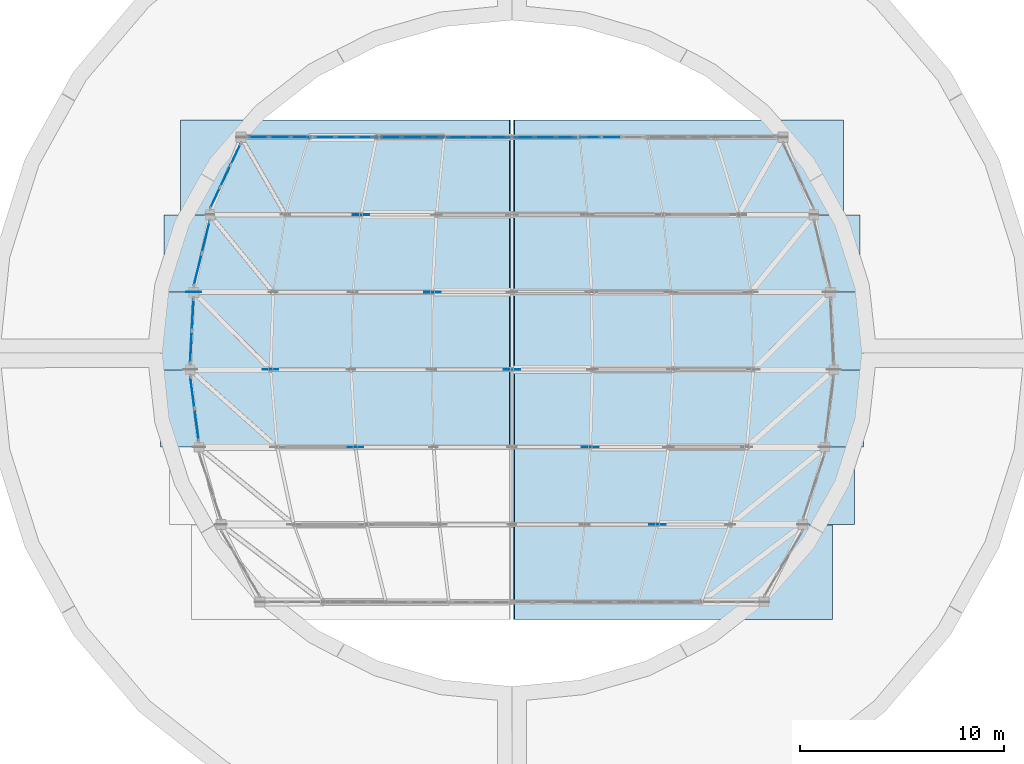
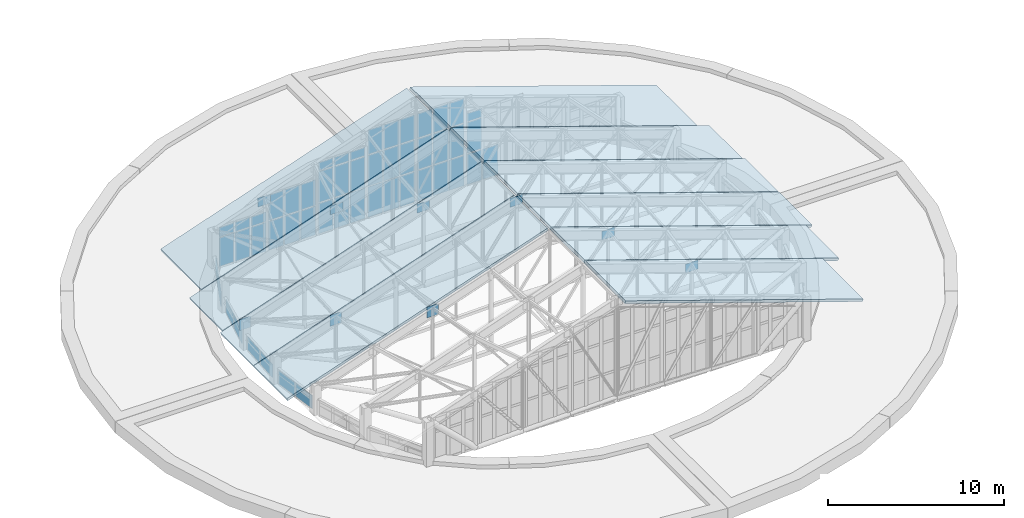
# One storey, part 60 of 105: 61 plates, 10 slabs, 10 elements without a shape of their own.
"""IFC4 building model written with IfcOpenShell, lengths in metres."""

from ifc_helpers import new_model, si_unit, direction, frame, origin, origin_2d, place, context, subcontext, project, spatial, polyline, rectangle, outline, extrude, material, layer, layer_set, type_object, element, aggregate, save


model = new_model("IFC4")

# Units and contexts
model_context = context("Model", 3, precision=1e-05, world=origin(), true_north=direction((0.0, 1.0)))
body_context = subcontext(model_context, "Body", "Model", "MODEL_VIEW")
ifc_project = project(units=[si_unit("LENGTHUNIT", "METRE"), si_unit("AREAUNIT", "SQUARE_METRE"), si_unit("VOLUMEUNIT", "CUBIC_METRE"), si_unit("PLANEANGLEUNIT", "RADIAN"), si_unit("MASSUNIT", "GRAM", prefix="KILO")], contexts=[model_context])

# Site, building, storey
site_placement = place(None, origin())
site = spatial("IfcSite", under=ifc_project, at=site_placement, CompositionType="ELEMENT")
building_placement = place(site_placement, origin())
building = spatial("IfcBuilding", under=site, at=building_placement, Name="Corveleigh Park Community Centre", CompositionType="ELEMENT")
storey_placement = place(building_placement, frame((0.0, 0.0, 8.699951171875)))
storey = spatial("IfcBuildingStorey", under=building, at=storey_placement, Name="L02", CompositionType="ELEMENT", Elevation=8.699951171875)

# Curtain wall, plates
ifc_material_1 = material(Name="Anodised aluminium 6063-T6", Category="aluminium")
curtain_wall_type_1 = type_object("IfcCurtainWallType", Name="CW-SYS-V1-DRUM", PredefinedType="NOTDEFINED", material=ifc_material_1)
curtain_wall_1_placement = place(storey_placement, origin())
curtain_wall_1 = element("IfcCurtainWall", 1, at=curtain_wall_1_placement, inside=storey, type_object=curtain_wall_type_1, Name="Main Hall N Gable Clerestory 1", PredefinedType="NOTDEFINED")
ifc_material_2 = material(Name="Low-E double glazing", Category="glass")
ifc_layer_1 = layer(ifc_material_2, 0.028076171875, Name="Low-E double glazing", Category="glass")
ifc_layer_set_1 = layer_set([ifc_layer_1], Name="Low-E double glazing")
plate_type_1 = type_object("IfcPlateType", Name="CWP-GLZ-28", PredefinedType="CURTAIN_PANEL", material=ifc_layer_set_1)
plate_1_placement = place(storey_placement, frame((20.6611328125, 38.199951171875, 0.070068359375), z_axis=(0.0, 0.0, 1.0), x_axis=(-1.0, 0.0, 0.0)))
plate_1 = element("IfcPlate", 2, at=plate_1_placement, type_object=plate_type_1, Name="CW02 panel 1.1", PredefinedType="CURTAIN_PANEL", context=body_context, shape_type="SweptSolid", body=[
    extrude(rectangle(XDim=0.951416015625, YDim=0.028076171875, at=origin_2d()), origin(), (0.0, 0.0, 1.0), 1.9951171875),
])
plate_2_placement = place(storey_placement, frame((20.6611328125, 38.199951171875, 2.135009765625), z_axis=(0.0, 0.0, 1.0), x_axis=(-1.0, 0.0, 0.0)))
plate_2 = element("IfcPlate", 3, at=plate_2_placement, type_object=plate_type_1, Name="CW02 panel 1.2", PredefinedType="CURTAIN_PANEL", context=body_context, shape_type="SweptSolid", body=[
    extrude(rectangle(XDim=0.951416015625, YDim=0.028076171875, at=origin_2d()), origin(), (0.0, 0.0, 1.0), 0.64990234375),
])
plate_3_placement = place(storey_placement, frame((19.615966796875, 38.199951171875, 0.070068359375), z_axis=(0.0, 0.0, 1.0), x_axis=(-1.0, 0.0, 0.0)))
plate_3 = element("IfcPlate", 4, at=plate_3_placement, type_object=plate_type_1, Name="CW02 panel 2.1", PredefinedType="CURTAIN_PANEL", context=body_context, shape_type="SweptSolid", body=[
    extrude(rectangle(XDim=0.989013671875, YDim=0.028076171875, at=origin_2d()), origin(), (0.0, 0.0, 1.0), 1.9951171875),
])
plate_4_placement = place(storey_placement, frame((19.615966796875, 38.199951171875, 2.135009765625), z_axis=(0.0, 0.0, 1.0), x_axis=(-1.0, 0.0, 0.0)))
plate_4 = element("IfcPlate", 5, at=plate_4_placement, type_object=plate_type_1, Name="CW02 panel 2.2", PredefinedType="CURTAIN_PANEL", context=body_context, shape_type="SweptSolid", body=[
    extrude(rectangle(XDim=0.989013671875, YDim=0.028076171875, at=origin_2d()), origin(), (0.0, 0.0, 1.0), 0.64990234375),
])
plate_5_placement = place(storey_placement, frame((18.57080078125, 38.199951171875, 0.070068359375), z_axis=(0.0, 0.0, 1.0), x_axis=(-1.0, 0.0, 0.0)))
plate_5 = element("IfcPlate", 6, at=plate_5_placement, type_object=plate_type_1, Name="CW02 panel 3.1", PredefinedType="CURTAIN_PANEL", context=body_context, shape_type="SweptSolid", body=[
    extrude(rectangle(XDim=0.951416015625, YDim=0.028076171875, at=origin_2d()), origin(), (0.0, 0.0, 1.0), 1.9951171875),
])
plate_6_placement = place(storey_placement, frame((18.57080078125, 38.199951171875, 2.135009765625), z_axis=(0.0, 0.0, 1.0), x_axis=(-1.0, 0.0, 0.0)))
plate_6 = element("IfcPlate", 7, at=plate_6_placement, type_object=plate_type_1, Name="CW02 panel 3.2", PredefinedType="CURTAIN_PANEL", context=body_context, shape_type="SweptSolid", body=[
    extrude(rectangle(XDim=0.951416015625, YDim=0.028076171875, at=origin_2d()), origin(), (0.0, 0.0, 1.0), 0.64990234375),
])
aggregate(curtain_wall_1, [plate_1, plate_2, plate_3, plate_4, plate_5, plate_6])

curtain_wall_2_placement = place(storey_placement, origin())
curtain_wall_2 = element("IfcCurtainWall", 8, at=curtain_wall_2_placement, inside=storey, type_object=curtain_wall_type_1, Name="Main Hall N Gable Clerestory 2", PredefinedType="NOTDEFINED")
plate_7_placement = place(storey_placement, frame((23.914306640625, 38.199951171875, 0.070068359375), z_axis=(0.0, 0.0, 1.0), x_axis=(-1.0, 0.0, 0.0)))
plate_7 = element("IfcPlate", 9, at=plate_7_placement, type_object=plate_type_1, Name="CW02 panel 1.1", PredefinedType="CURTAIN_PANEL", context=body_context, shape_type="SweptSolid", body=[
    extrude(rectangle(XDim=0.951416015625, YDim=0.028076171875, at=origin_2d()), origin(), (0.0, 0.0, 1.0), 1.9951171875),
])
plate_8_placement = place(storey_placement, frame((23.914306640625, 38.199951171875, 2.13525390625), z_axis=(0.0, 0.0, 1.0), x_axis=(-1.0, 0.0, 0.0)))
plate_8 = element("IfcPlate", 10, at=plate_8_placement, type_object=plate_type_1, Name="CW02 panel 1.2", PredefinedType="CURTAIN_PANEL", context=body_context, shape_type="SweptSolid", body=[
    extrude(rectangle(XDim=0.951416015625, YDim=0.028076171875, at=origin_2d()), origin(), (0.0, 0.0, 1.0), 1.761962890625),
])
plate_9_placement = place(storey_placement, frame((22.868896484375, 38.199951171875, 0.070068359375), z_axis=(0.0, 0.0, 1.0), x_axis=(-1.0, 0.0, 0.0)))
plate_9 = element("IfcPlate", 11, at=plate_9_placement, type_object=plate_type_1, Name="CW02 panel 2.1", PredefinedType="CURTAIN_PANEL", context=body_context, shape_type="SweptSolid", body=[
    extrude(rectangle(XDim=0.989013671875, YDim=0.028076171875, at=origin_2d()), origin(), (0.0, 0.0, 1.0), 1.9951171875),
])
plate_10_placement = place(storey_placement, frame((22.868896484375, 38.199951171875, 2.13525390625), z_axis=(0.0, 0.0, 1.0), x_axis=(-1.0, 0.0, 0.0)))
plate_10 = element("IfcPlate", 12, at=plate_10_placement, type_object=plate_type_1, Name="CW02 panel 2.2", PredefinedType="CURTAIN_PANEL", context=body_context, shape_type="SweptSolid", body=[
    extrude(rectangle(XDim=0.989013671875, YDim=0.028076171875, at=origin_2d()), origin(), (0.0, 0.0, 1.0), 1.761962890625),
])
plate_11_placement = place(storey_placement, frame((21.82373046875, 38.199951171875, 0.070068359375), z_axis=(0.0, 0.0, 1.0), x_axis=(-1.0, 0.0, 0.0)))
plate_11 = element("IfcPlate", 13, at=plate_11_placement, type_object=plate_type_1, Name="CW02 panel 3.1", PredefinedType="CURTAIN_PANEL", context=body_context, shape_type="SweptSolid", body=[
    extrude(rectangle(XDim=0.951416015625, YDim=0.028076171875, at=origin_2d()), origin(), (0.0, 0.0, 1.0), 1.9951171875),
])
plate_12_placement = place(storey_placement, frame((21.82373046875, 38.199951171875, 2.13525390625), z_axis=(0.0, 0.0, 1.0), x_axis=(-1.0, 0.0, 0.0)))
plate_12 = element("IfcPlate", 14, at=plate_12_placement, type_object=plate_type_1, Name="CW02 panel 3.2", PredefinedType="CURTAIN_PANEL", context=body_context, shape_type="SweptSolid", body=[
    extrude(rectangle(XDim=0.951416015625, YDim=0.028076171875, at=origin_2d()), origin(), (0.0, 0.0, 1.0), 1.761962890625),
])
aggregate(curtain_wall_2, [plate_7, plate_8, plate_9, plate_10, plate_11, plate_12])

curtain_wall_3_placement = place(storey_placement, origin())
curtain_wall_3 = element("IfcCurtainWall", 15, at=curtain_wall_3_placement, inside=storey, type_object=curtain_wall_type_1, Name="Main Hall N Gable Clerestory 3", PredefinedType="NOTDEFINED")
plate_13_placement = place(storey_placement, frame((27.1669921875, 38.199951171875, 0.06982421875), z_axis=(0.0, 0.0, 1.0), x_axis=(-1.0, 0.0, 0.0)))
plate_13 = element("IfcPlate", 16, at=plate_13_placement, type_object=plate_type_1, Name="CW02 panel 1.1", PredefinedType="CURTAIN_PANEL", context=body_context, shape_type="SweptSolid", body=[
    extrude(rectangle(XDim=0.951904296875, YDim=0.028076171875, at=origin_2d()), origin(), (0.0, 0.0, 1.0), 2.094970703125),
])
plate_14_placement = place(storey_placement, frame((27.1669921875, 38.199951171875, 2.235107421875), z_axis=(0.0, 0.0, 1.0), x_axis=(-1.0, 0.0, 0.0)))
plate_14 = element("IfcPlate", 17, at=plate_14_placement, type_object=plate_type_1, Name="CW02 panel 1.2", PredefinedType="CURTAIN_PANEL", context=body_context, shape_type="SweptSolid", body=[
    extrude(rectangle(XDim=0.951904296875, YDim=0.028076171875, at=origin_2d()), origin(), (0.0, 0.0, 1.0), 2.1298828125),
])
plate_15_placement = place(storey_placement, frame((27.1669921875, 38.199951171875, 4.43505859375), z_axis=(0.0, 0.0, 1.0), x_axis=(-1.0, 0.0, 0.0)))
plate_15 = element("IfcPlate", 18, at=plate_15_placement, type_object=plate_type_1, Name="CW02 panel 1.3", PredefinedType="CURTAIN_PANEL", context=body_context, shape_type="SweptSolid", body=[
    extrude(rectangle(XDim=0.951904296875, YDim=0.028076171875, at=origin_2d()), origin(), (0.0, 0.0, 1.0), 0.572998046875),
])
plate_16_placement = place(storey_placement, frame((26.12158203125, 38.199951171875, 0.06982421875), z_axis=(0.0, 0.0, 1.0), x_axis=(-1.0, 0.0, 0.0)))
plate_16 = element("IfcPlate", 19, at=plate_16_placement, type_object=plate_type_1, Name="CW02 panel 2.1", PredefinedType="CURTAIN_PANEL", context=body_context, shape_type="SweptSolid", body=[
    extrude(rectangle(XDim=0.9892578125, YDim=0.028076171875, at=origin_2d()), origin(), (0.0, 0.0, 1.0), 2.094970703125),
])
plate_17_placement = place(storey_placement, frame((26.12158203125, 38.199951171875, 2.235107421875), z_axis=(0.0, 0.0, 1.0), x_axis=(-1.0, 0.0, 0.0)))
plate_17 = element("IfcPlate", 20, at=plate_17_placement, type_object=plate_type_1, Name="CW02 panel 2.2", PredefinedType="CURTAIN_PANEL", context=body_context, shape_type="SweptSolid", body=[
    extrude(rectangle(XDim=0.9892578125, YDim=0.028076171875, at=origin_2d()), origin(), (0.0, 0.0, 1.0), 2.1298828125),
])
plate_18_placement = place(storey_placement, frame((26.12158203125, 38.199951171875, 4.43505859375), z_axis=(0.0, 0.0, 1.0), x_axis=(-1.0, 0.0, 0.0)))
plate_18 = element("IfcPlate", 21, at=plate_18_placement, type_object=plate_type_1, Name="CW02 panel 2.3", PredefinedType="CURTAIN_PANEL", context=body_context, shape_type="SweptSolid", body=[
    extrude(rectangle(XDim=0.9892578125, YDim=0.028076171875, at=origin_2d()), origin(), (0.0, 0.0, 1.0), 0.572998046875),
])
plate_19_placement = place(storey_placement, frame((25.075927734375, 38.199951171875, 0.06982421875), z_axis=(0.0, 0.0, 1.0), x_axis=(-1.0, 0.0, 0.0)))
plate_19 = element("IfcPlate", 22, at=plate_19_placement, type_object=plate_type_1, Name="CW02 panel 3.1", PredefinedType="CURTAIN_PANEL", context=body_context, shape_type="SweptSolid", body=[
    extrude(rectangle(XDim=0.951904296875, YDim=0.028076171875, at=origin_2d()), origin(), (0.0, 0.0, 1.0), 2.094970703125),
])
plate_20_placement = place(storey_placement, frame((25.075927734375, 38.199951171875, 2.235107421875), z_axis=(0.0, 0.0, 1.0), x_axis=(-1.0, 0.0, 0.0)))
plate_20 = element("IfcPlate", 23, at=plate_20_placement, type_object=plate_type_1, Name="CW02 panel 3.2", PredefinedType="CURTAIN_PANEL", context=body_context, shape_type="SweptSolid", body=[
    extrude(rectangle(XDim=0.951904296875, YDim=0.028076171875, at=origin_2d()), origin(), (0.0, 0.0, 1.0), 2.1298828125),
])
plate_21_placement = place(storey_placement, frame((25.075927734375, 38.199951171875, 4.43505859375), z_axis=(0.0, 0.0, 1.0), x_axis=(-1.0, 0.0, 0.0)))
plate_21 = element("IfcPlate", 24, at=plate_21_placement, type_object=plate_type_1, Name="CW02 panel 3.3", PredefinedType="CURTAIN_PANEL", context=body_context, shape_type="SweptSolid", body=[
    extrude(rectangle(XDim=0.951904296875, YDim=0.028076171875, at=origin_2d()), origin(), (0.0, 0.0, 1.0), 0.572998046875),
])
aggregate(curtain_wall_3, [plate_13, plate_14, plate_15, plate_16, plate_17, plate_18, plate_19, plate_20, plate_21])

curtain_wall_4_placement = place(storey_placement, origin())
curtain_wall_4 = element("IfcCurtainWall", 25, at=curtain_wall_4_placement, inside=storey, type_object=curtain_wall_type_1, Name="Main Hall N Gable Clerestory 4", PredefinedType="NOTDEFINED")
plate_22_placement = place(storey_placement, frame((30.419189453125, 38.199951171875, 0.06982421875), z_axis=(0.0, 0.0, 1.0), x_axis=(-1.0, 0.0, 0.0)))
plate_22 = element("IfcPlate", 26, at=plate_22_placement, type_object=plate_type_1, Name="CW02 panel 1.1", PredefinedType="CURTAIN_PANEL", context=body_context, shape_type="SweptSolid", body=[
    extrude(rectangle(XDim=0.951416015625, YDim=0.028076171875, at=origin_2d()), origin(), (0.0, 0.0, 1.0), 2.094970703125),
])
plate_23_placement = place(storey_placement, frame((30.419189453125, 38.199951171875, 2.235107421875), z_axis=(0.0, 0.0, 1.0), x_axis=(-1.0, 0.0, 0.0)))
plate_23 = element("IfcPlate", 27, at=plate_23_placement, type_object=plate_type_1, Name="CW02 panel 1.2", PredefinedType="CURTAIN_PANEL", context=body_context, shape_type="SweptSolid", body=[
    extrude(rectangle(XDim=0.951416015625, YDim=0.028076171875, at=origin_2d()), origin(), (0.0, 0.0, 1.0), 2.1298828125),
])
plate_24_placement = place(storey_placement, frame((30.419189453125, 38.199951171875, 4.43505859375), z_axis=(0.0, 0.0, 1.0), x_axis=(-1.0, 0.0, 0.0)))
plate_24 = element("IfcPlate", 28, at=plate_24_placement, type_object=plate_type_1, Name="CW02 panel 1.3", PredefinedType="CURTAIN_PANEL", context=body_context, shape_type="SweptSolid", body=[
    extrude(rectangle(XDim=0.951416015625, YDim=0.028076171875, at=origin_2d()), origin(), (0.0, 0.0, 1.0), 1.68408203125),
])
plate_25_placement = place(storey_placement, frame((29.3740234375, 38.199951171875, 0.06982421875), z_axis=(0.0, 0.0, 1.0), x_axis=(-1.0, 0.0, 0.0)))
plate_25 = element("IfcPlate", 29, at=plate_25_placement, type_object=plate_type_1, Name="CW02 panel 2.1", PredefinedType="CURTAIN_PANEL", context=body_context, shape_type="SweptSolid", body=[
    extrude(rectangle(XDim=0.989013671875, YDim=0.028076171875, at=origin_2d()), origin(), (0.0, 0.0, 1.0), 2.094970703125),
])
plate_26_placement = place(storey_placement, frame((29.3740234375, 38.199951171875, 2.235107421875), z_axis=(0.0, 0.0, 1.0), x_axis=(-1.0, 0.0, 0.0)))
plate_26 = element("IfcPlate", 30, at=plate_26_placement, type_object=plate_type_1, Name="CW02 panel 2.2", PredefinedType="CURTAIN_PANEL", context=body_context, shape_type="SweptSolid", body=[
    extrude(rectangle(XDim=0.989013671875, YDim=0.028076171875, at=origin_2d()), origin(), (0.0, 0.0, 1.0), 2.1298828125),
])
plate_27_placement = place(storey_placement, frame((29.3740234375, 38.199951171875, 4.43505859375), z_axis=(0.0, 0.0, 1.0), x_axis=(-1.0, 0.0, 0.0)))
plate_27 = element("IfcPlate", 31, at=plate_27_placement, type_object=plate_type_1, Name="CW02 panel 2.3", PredefinedType="CURTAIN_PANEL", context=body_context, shape_type="SweptSolid", body=[
    extrude(rectangle(XDim=0.989013671875, YDim=0.028076171875, at=origin_2d()), origin(), (0.0, 0.0, 1.0), 1.68408203125),
])
plate_28_placement = place(storey_placement, frame((28.328857421875, 38.199951171875, 0.06982421875), z_axis=(0.0, 0.0, 1.0), x_axis=(-1.0, 0.0, 0.0)))
plate_28 = element("IfcPlate", 32, at=plate_28_placement, type_object=plate_type_1, Name="CW02 panel 3.1", PredefinedType="CURTAIN_PANEL", context=body_context, shape_type="SweptSolid", body=[
    extrude(rectangle(XDim=0.951416015625, YDim=0.028076171875, at=origin_2d()), origin(), (0.0, 0.0, 1.0), 2.094970703125),
])
plate_29_placement = place(storey_placement, frame((28.328857421875, 38.199951171875, 2.235107421875), z_axis=(0.0, 0.0, 1.0), x_axis=(-1.0, 0.0, 0.0)))
plate_29 = element("IfcPlate", 33, at=plate_29_placement, type_object=plate_type_1, Name="CW02 panel 3.2", PredefinedType="CURTAIN_PANEL", context=body_context, shape_type="SweptSolid", body=[
    extrude(rectangle(XDim=0.951416015625, YDim=0.028076171875, at=origin_2d()), origin(), (0.0, 0.0, 1.0), 2.1298828125),
])
plate_30_placement = place(storey_placement, frame((28.328857421875, 38.199951171875, 4.43505859375), z_axis=(0.0, 0.0, 1.0), x_axis=(-1.0, 0.0, 0.0)))
plate_30 = element("IfcPlate", 34, at=plate_30_placement, type_object=plate_type_1, Name="CW02 panel 3.3", PredefinedType="CURTAIN_PANEL", context=body_context, shape_type="SweptSolid", body=[
    extrude(rectangle(XDim=0.951416015625, YDim=0.028076171875, at=origin_2d()), origin(), (0.0, 0.0, 1.0), 1.68408203125),
])
aggregate(curtain_wall_4, [plate_22, plate_23, plate_24, plate_25, plate_26, plate_27, plate_28, plate_29, plate_30])

curtain_wall_5_placement = place(storey_placement, origin())
curtain_wall_5 = element("IfcCurtainWall", 35, at=curtain_wall_5_placement, inside=storey, type_object=curtain_wall_type_1, Name="Main Hall N Gable Clerestory 5", PredefinedType="NOTDEFINED")
plate_31_placement = place(storey_placement, frame((33.671142578125, 38.199951171875, 0.06982421875), z_axis=(0.0, 0.0, 1.0), x_axis=(-1.0, 0.0, 0.0)))
plate_31 = element("IfcPlate", 36, at=plate_31_placement, type_object=plate_type_1, Name="CW02 panel 1.1", PredefinedType="CURTAIN_PANEL", context=body_context, shape_type="SweptSolid", body=[
    extrude(rectangle(XDim=0.951416015625, YDim=0.028076171875, at=origin_2d()), origin(), (0.0, 0.0, 1.0), 2.094970703125),
])
plate_32_placement = place(storey_placement, frame((33.671142578125, 38.199951171875, 2.235107421875), z_axis=(0.0, 0.0, 1.0), x_axis=(-1.0, 0.0, 0.0)))
plate_32 = element("IfcPlate", 37, at=plate_32_placement, type_object=plate_type_1, Name="CW02 panel 1.2", PredefinedType="CURTAIN_PANEL", context=body_context, shape_type="SweptSolid", body=[
    extrude(rectangle(XDim=0.951416015625, YDim=0.028076171875, at=origin_2d()), origin(), (0.0, 0.0, 1.0), 2.1298828125),
])
plate_33_placement = place(storey_placement, frame((33.671142578125, 38.199951171875, 4.43505859375), z_axis=(0.0, 0.0, 1.0), x_axis=(-1.0, 0.0, 0.0)))
plate_33 = element("IfcPlate", 38, at=plate_33_placement, type_object=plate_type_1, Name="CW02 panel 1.3", PredefinedType="CURTAIN_PANEL", context=body_context, shape_type="SweptSolid", body=[
    extrude(rectangle(XDim=0.951416015625, YDim=0.028076171875, at=origin_2d()), origin(), (0.0, 0.0, 1.0), 1.68408203125),
])
plate_34_placement = place(storey_placement, frame((32.6259765625, 38.199951171875, 0.06982421875), z_axis=(0.0, 0.0, 1.0), x_axis=(-1.0, 0.0, 0.0)))
plate_34 = element("IfcPlate", 39, at=plate_34_placement, type_object=plate_type_1, Name="CW02 panel 2.1", PredefinedType="CURTAIN_PANEL", context=body_context, shape_type="SweptSolid", body=[
    extrude(rectangle(XDim=0.989013671875, YDim=0.028076171875, at=origin_2d()), origin(), (0.0, 0.0, 1.0), 2.094970703125),
])
plate_35_placement = place(storey_placement, frame((32.6259765625, 38.199951171875, 2.235107421875), z_axis=(0.0, 0.0, 1.0), x_axis=(-1.0, 0.0, 0.0)))
plate_35 = element("IfcPlate", 40, at=plate_35_placement, type_object=plate_type_1, Name="CW02 panel 2.2", PredefinedType="CURTAIN_PANEL", context=body_context, shape_type="SweptSolid", body=[
    extrude(rectangle(XDim=0.989013671875, YDim=0.028076171875, at=origin_2d()), origin(), (0.0, 0.0, 1.0), 2.1298828125),
])
plate_36_placement = place(storey_placement, frame((32.6259765625, 38.199951171875, 4.43505859375), z_axis=(0.0, 0.0, 1.0), x_axis=(-1.0, 0.0, 0.0)))
plate_36 = element("IfcPlate", 41, at=plate_36_placement, type_object=plate_type_1, Name="CW02 panel 2.3", PredefinedType="CURTAIN_PANEL", context=body_context, shape_type="SweptSolid", body=[
    extrude(rectangle(XDim=0.989013671875, YDim=0.028076171875, at=origin_2d()), origin(), (0.0, 0.0, 1.0), 1.68408203125),
])
plate_37_placement = place(storey_placement, frame((31.580810546875, 38.199951171875, 0.06982421875), z_axis=(0.0, 0.0, 1.0), x_axis=(-1.0, 0.0, 0.0)))
plate_37 = element("IfcPlate", 42, at=plate_37_placement, type_object=plate_type_1, Name="CW02 panel 3.1", PredefinedType="CURTAIN_PANEL", context=body_context, shape_type="SweptSolid", body=[
    extrude(rectangle(XDim=0.951416015625, YDim=0.028076171875, at=origin_2d()), origin(), (0.0, 0.0, 1.0), 2.094970703125),
])
plate_38_placement = place(storey_placement, frame((31.580810546875, 38.199951171875, 2.235107421875), z_axis=(0.0, 0.0, 1.0), x_axis=(-1.0, 0.0, 0.0)))
plate_38 = element("IfcPlate", 43, at=plate_38_placement, type_object=plate_type_1, Name="CW02 panel 3.2", PredefinedType="CURTAIN_PANEL", context=body_context, shape_type="SweptSolid", body=[
    extrude(rectangle(XDim=0.951416015625, YDim=0.028076171875, at=origin_2d()), origin(), (0.0, 0.0, 1.0), 2.1298828125),
])
plate_39_placement = place(storey_placement, frame((31.580810546875, 38.199951171875, 4.43505859375), z_axis=(0.0, 0.0, 1.0), x_axis=(-1.0, 0.0, 0.0)))
plate_39 = element("IfcPlate", 44, at=plate_39_placement, type_object=plate_type_1, Name="CW02 panel 3.3", PredefinedType="CURTAIN_PANEL", context=body_context, shape_type="SweptSolid", body=[
    extrude(rectangle(XDim=0.951416015625, YDim=0.028076171875, at=origin_2d()), origin(), (0.0, 0.0, 1.0), 1.68408203125),
])
aggregate(curtain_wall_5, [plate_31, plate_32, plate_33, plate_34, plate_35, plate_36, plate_37, plate_38, plate_39])

curtain_wall_6_placement = place(storey_placement, origin())
curtain_wall_6 = element("IfcCurtainWall", 45, at=curtain_wall_6_placement, inside=storey, type_object=curtain_wall_type_1, Name="Main Hall N Gable Clerestory 6", PredefinedType="NOTDEFINED")
plate_40_placement = place(storey_placement, frame((35.87841796875, 38.199951171875, 0.06982421875), z_axis=(0.0, 0.0, 1.0), x_axis=(-1.0, 0.0, 0.0)))
plate_40 = element("IfcPlate", 46, at=plate_40_placement, type_object=plate_type_1, Name="CW02 panel 2.1", PredefinedType="CURTAIN_PANEL", context=body_context, shape_type="SweptSolid", body=[
    extrude(rectangle(XDim=0.9892578125, YDim=0.028076171875, at=origin_2d()), origin(), (0.0, 0.0, 1.0), 2.094970703125),
])
plate_41_placement = place(storey_placement, frame((34.8330078125, 38.199951171875, 0.06982421875), z_axis=(0.0, 0.0, 1.0), x_axis=(-1.0, 0.0, 0.0)))
plate_41 = element("IfcPlate", 47, at=plate_41_placement, type_object=plate_type_1, Name="CW02 panel 3.1", PredefinedType="CURTAIN_PANEL", context=body_context, shape_type="SweptSolid", body=[
    extrude(rectangle(XDim=0.951904296875, YDim=0.028076171875, at=origin_2d()), origin(), (0.0, 0.0, 1.0), 2.094970703125),
])
plate_42_placement = place(storey_placement, frame((34.8330078125, 38.199951171875, 2.235107421875), z_axis=(0.0, 0.0, 1.0), x_axis=(-1.0, 0.0, 0.0)))
plate_42 = element("IfcPlate", 48, at=plate_42_placement, type_object=plate_type_1, Name="CW02 panel 3.2", PredefinedType="CURTAIN_PANEL", context=body_context, shape_type="SweptSolid", body=[
    extrude(rectangle(XDim=0.951904296875, YDim=0.028076171875, at=origin_2d()), origin(), (0.0, 0.0, 1.0), 2.1298828125),
])
plate_43_placement = place(storey_placement, frame((34.8330078125, 38.199951171875, 4.43505859375), z_axis=(0.0, 0.0, 1.0), x_axis=(-1.0, 0.0, 0.0)))
plate_43 = element("IfcPlate", 49, at=plate_43_placement, type_object=plate_type_1, Name="CW02 panel 3.3", PredefinedType="CURTAIN_PANEL", context=body_context, shape_type="SweptSolid", body=[
    extrude(rectangle(XDim=0.951904296875, YDim=0.028076171875, at=origin_2d()), origin(), (0.0, 0.0, 1.0), 0.572998046875),
])
aggregate(curtain_wall_6, [plate_40, plate_41, plate_42, plate_43])

curtain_wall_type_2 = type_object("IfcCurtainWallType", Name="CW-SYS-V1-L00", PredefinedType="NOTDEFINED", material=ifc_material_1)
curtain_wall_7_placement = place(storey_placement, origin())
curtain_wall_7 = element("IfcCurtainWall", 50, at=curtain_wall_7_placement, inside=storey, type_object=curtain_wall_type_2, Name="Main Hall West Eave Clerestory 3", PredefinedType="NOTDEFINED")
plate_44_placement = place(storey_placement, frame((15.53173828125, 24.107421875, 0.06494140625), z_axis=(0.0, 0.0, 1.0), x_axis=(-0.130961066405, 0.991387512069, 0.0)))
plate_44 = element("IfcPlate", 51, at=plate_44_placement, type_object=plate_type_1, Name="CW01 panel 1.1", PredefinedType="CURTAIN_PANEL", context=body_context, shape_type="SweptSolid", body=[
    extrude(rectangle(XDim=1.529052734375, YDim=0.028076171875, at=origin_2d()), origin(), (0.0, 0.0, 1.0), 0.929931640625),
])
plate_45_placement = place(storey_placement, frame((15.322265625, 25.692626953125, 0.06494140625), z_axis=(0.0, 0.0, 1.0), x_axis=(-0.130961066405, 0.991387512069, 0.0)))
plate_45 = element("IfcPlate", 52, at=plate_45_placement, type_object=plate_type_1, Name="CW01 panel 2.1", PredefinedType="CURTAIN_PANEL", context=body_context, shape_type="SweptSolid", body=[
    extrude(rectangle(XDim=1.529052734375, YDim=0.028076171875, at=origin_2d()), origin(), (0.0, 0.0, 1.0), 0.929931640625),
])
aggregate(curtain_wall_7, [plate_44, plate_45])

curtain_wall_8_placement = place(storey_placement, origin())
curtain_wall_8 = element("IfcCurtainWall", 53, at=curtain_wall_8_placement, inside=storey, type_object=curtain_wall_type_2, Name="Main Hall West Eave Clerestory 4", PredefinedType="NOTDEFINED")
plate_46_placement = place(storey_placement, frame((15.257080078125, 27.907470703125, 0.06494140625), z_axis=(0.0, 0.0, 1.0), x_axis=(0.053319108566, 0.998577524613, 0.0)))
plate_46 = element("IfcPlate", 54, at=plate_46_placement, type_object=plate_type_1, Name="CW01 panel 1.1", PredefinedType="CURTAIN_PANEL", context=body_context, shape_type="SweptSolid", body=[
    extrude(rectangle(XDim=1.517333984375, YDim=0.028076171875, at=origin_2d()), origin(), (0.0, 0.0, 1.0), 0.929931640625),
])
plate_47_placement = place(storey_placement, frame((15.341796875, 29.492431640625, 0.06494140625), z_axis=(0.0, 0.0, 1.0), x_axis=(0.053319108566, 0.998577524613, 0.0)))
plate_47 = element("IfcPlate", 55, at=plate_47_placement, type_object=plate_type_1, Name="CW01 panel 2.1", PredefinedType="CURTAIN_PANEL", context=body_context, shape_type="SweptSolid", body=[
    extrude(rectangle(XDim=1.517333984375, YDim=0.028076171875, at=origin_2d()), origin(), (0.0, 0.0, 1.0), 0.929931640625),
])
aggregate(curtain_wall_8, [plate_46, plate_47])

curtain_wall_9_placement = place(storey_placement, origin())
curtain_wall_9 = element("IfcCurtainWall", 56, at=curtain_wall_9_placement, inside=storey, type_object=curtain_wall_type_2, Name="Main Hall West Eave Clerestory 5", PredefinedType="NOTDEFINED")
plate_48_placement = place(storey_placement, frame((15.5888671875, 31.70703125, 0.06494140625), z_axis=(0.0, 0.0, 1.0), x_axis=(0.238301547662, 0.971191213089, 0.0)))
plate_48 = element("IfcPlate", 57, at=plate_48_placement, type_object=plate_type_1, Name="CW01 panel 1.1", PredefinedType="CURTAIN_PANEL", context=body_context, shape_type="SweptSolid", body=[
    extrude(rectangle(XDim=1.56298828125, YDim=0.028076171875, at=origin_2d()), origin(), (0.0, 0.0, 1.0), 0.929931640625),
])
plate_49_placement = place(storey_placement, frame((15.97802734375, 33.29296875, 0.06494140625), z_axis=(0.0, 0.0, 1.0), x_axis=(0.238301547662, 0.971191213089, 0.0)))
plate_49 = element("IfcPlate", 58, at=plate_49_placement, type_object=plate_type_1, Name="CW01 panel 2.1", PredefinedType="CURTAIN_PANEL", context=body_context, shape_type="SweptSolid", body=[
    extrude(rectangle(XDim=1.56298828125, YDim=0.028076171875, at=origin_2d()), origin(), (0.0, 0.0, 1.0), 0.929931640625),
])
aggregate(curtain_wall_9, [plate_48, plate_49])

curtain_wall_10_placement = place(storey_placement, origin())
curtain_wall_10 = element("IfcCurtainWall", 59, at=curtain_wall_10_placement, inside=storey, type_object=curtain_wall_type_2, Name="Main Hall West Eave Clerestory 6", PredefinedType="NOTDEFINED")
plate_50_placement = place(storey_placement, frame((16.443359375, 35.23583984375, 0.06494140625), z_axis=(0.0, 0.0, 1.0), x_axis=(0.426778063068, 0.904356392626, 0.0)))
plate_50 = element("IfcPlate", 60, at=plate_50_placement, type_object=plate_type_1, Name="CW01 panel 1.1", PredefinedType="CURTAIN_PANEL", context=body_context, shape_type="SweptSolid", body=[
    extrude(rectangle(XDim=1.089111328125, YDim=0.028076171875, at=origin_2d()), origin(), (0.0, 0.0, 1.0), 0.929931640625),
])
plate_51_placement = place(storey_placement, frame((16.945556640625, 36.300048828125, 0.06494140625), z_axis=(0.0, 0.0, 1.0), x_axis=(0.426778063068, 0.904356392626, 0.0)))
plate_51 = element("IfcPlate", 61, at=plate_51_placement, type_object=plate_type_1, Name="CW01 panel 2.1", PredefinedType="CURTAIN_PANEL", context=body_context, shape_type="SweptSolid", body=[
    extrude(rectangle(XDim=1.124267578125, YDim=0.028076171875, at=origin_2d()), origin(), (0.0, 0.0, 1.0), 0.929931640625),
])
plate_52_placement = place(storey_placement, frame((17.44775390625, 37.3642578125, 0.06494140625), z_axis=(0.0, 0.0, 1.0), x_axis=(0.426778063068, 0.904356392626, 0.0)))
plate_52 = element("IfcPlate", 62, at=plate_52_placement, type_object=plate_type_1, Name="CW01 panel 3.1", PredefinedType="CURTAIN_PANEL", context=body_context, shape_type="SweptSolid", body=[
    extrude(rectangle(XDim=1.089111328125, YDim=0.028076171875, at=origin_2d()), origin(), (0.0, 0.0, 1.0), 0.929931640625),
])
aggregate(curtain_wall_10, [plate_50, plate_51, plate_52])

# Plates
ifc_material_3 = material(Name="Steel S355", Category="steel")
ifc_layer_2 = layer(ifc_material_3, 0.030029296875, Name="Steel S355", Category="steel")
ifc_layer_set_2 = layer_set([ifc_layer_2], Name="Steel S355")
plate_type_2 = type_object("IfcPlateType", Name="PLT-GUS-30", PredefinedType="SHEET", material=ifc_layer_set_2)
for number, where, z_axis, x_axis, name in (
    (63, (23.321044921875, 23.0, 4.021240234375), (0.0, 0.0, 1.0), (1.0, 0.0, 0.0), "V1 Truss T3 Gusset"),
    (64, (19.159912109375, 26.800048828125, 2.599853515625), (0.0, 0.0, 1.0), (1.0, 0.0, 0.0), "V1 Truss T4 Gusset"),
    (65, (15.385986328125, 30.60009765625, 1.310302734375), (0.0, 0.0, 1.0), (1.0, 0.0, 0.0), "V1 Truss T5 Gusset"),
):
    element("IfcPlate", number, at=place(storey_placement, frame(where, z_axis=z_axis, x_axis=x_axis)), inside=storey, type_object=plate_type_2, Name=name, PredefinedType="SHEET", context=body_context, shape_type="SweptSolid", body=[
        extrude(rectangle(XDim=0.75, YDim=0.030029296875, at=origin_2d()), origin(), (0.0, 0.0, 1.0), 0.75),
    ])
ifc_layer_3 = layer(ifc_material_3, 0.031982421875, Name="Steel S355", Category="steel")
ifc_layer_set_3 = layer_set([ifc_layer_3], Name="Steel S355")
plate_type_3 = type_object("IfcPlateType", Name="PLT-NOD-32", PredefinedType="SHEET", material=ifc_layer_set_3)
for number, where, z_axis, x_axis, name in (
    (66, (38.137939453125, 19.199951171875, 4.28125), (0.0, 0.0, 1.0), (1.0, 0.0, 0.0), "V1 Truss T2 Gusset"),
    (67, (34.840087890625, 23.0, 5.407958984375), (0.0, 0.0, 1.0), (1.0, 0.0, 0.0), "V1 Truss T3 Gusset"),
    (68, (31.0, 26.800048828125, 6.719970703125), (0.0, 0.0, 1.0), (1.0, 0.0, 0.0), "V1 Truss T4 Gusset"),
    (69, (27.095947265625, 30.60009765625, 5.385986328125), (0.0, 0.0, 1.0), (1.0, 0.0, 0.0), "V1 Truss T5 Gusset"),
    (70, (23.591064453125, 34.39990234375, 4.188720703125), (0.0, 0.0, 1.0), (1.0, 0.0, 0.0), "V1 Truss T6 Gusset"),
    (71, (21.031982421875, 38.199951171875, 3.314208984375), (0.0, 0.0, 1.0), (1.0, 0.0, 0.0), "V1 Truss T7 Gusset"),
):
    element("IfcPlate", number, at=place(storey_placement, frame(where, z_axis=z_axis, x_axis=x_axis)), inside=storey, type_object=plate_type_3, Name=name, PredefinedType="SHEET", context=body_context, shape_type="SweptSolid", body=[
        extrude(rectangle(XDim=0.820068359375, YDim=0.031982421875, at=origin_2d()), origin(), (0.0, 0.0, 1.0), 0.60009765625),
    ])

# Slabs
ifc_material_4 = material(Name="Concrete C32/40", Category="concrete")
ifc_layer_4 = layer(ifc_material_4, 0.176025390625, Name="Concrete C32/40", Category="concrete")
ifc_layer_set_4 = layer_set([ifc_layer_4], Name="Concrete C32/40")
slab_type = type_object("IfcSlabType", Name="SLB-ROF-176", PredefinedType="ROOF", material=ifc_layer_set_4)
slab_1_placement = place(storey_placement, frame((31.1201171875, 14.550048828125, 7.469970703125), z_axis=(0.323333996469, 0.0, 0.946284907799), x_axis=(0.946284907799, 0.0, -0.323333996469)))
element("IfcSlab", 72, at=slab_1_placement, inside=storey, type_object=slab_type, Name="Main Hall East Pitched Roof Bay 1", PredefinedType="ROOF", context=body_context, shape_type="SweptSolid", body=[
    extrude(outline(polyline([(0.0, 0.0), (16.49078447742998, 0.0), (16.49078447742998, 4.635009765625), (0.0, 4.635009765625), (0.0, 0.0)])), origin(), (0.0, 0.0, -1.0), 0.176025390625),
])
slab_2_placement = place(storey_placement, frame((31.1201171875, 19.215087890625, 7.469970703125), z_axis=(0.323308041961, 0.0, 0.946293775739), x_axis=(0.946293775739, 0.0, -0.323308041961)))
element("IfcSlab", 73, at=slab_2_placement, inside=storey, type_object=slab_type, Name="Main Hall East Pitched Roof Bay 2", PredefinedType="ROOF", context=body_context, shape_type="SweptSolid", body=[
    extrude(outline(polyline([(0.0, 0.0), (17.636135068847853, 0.0), (17.636135068847853, 3.770019531250001), (0.0, 3.770019531250001), (0.0, 0.0)])), origin(), (0.0, 0.0, -1.0), 0.176025390625),
])
for number, where, z_axis, x_axis, name in (
    (74, (13.762939453125, 23.014892578125, 1.6220703125), (-0.323296862133, 0.0, 0.946297595334), (0.946297595334, 0.0, 0.323296862133), "Main Hall West Pitched Roof Bay 3"),
    (75, (31.1201171875, 23.014892578125, 7.469970703125), (0.323296862133, 0.0, 0.946297595334), (0.946297595334, 0.0, -0.323296862133), "Main Hall East Pitched Roof Bay 3"),
    (76, (13.762939453125, 26.81494140625, 1.6220703125), (-0.323296862133, 0.0, 0.946297595334), (0.946297595334, 0.0, 0.323296862133), "Main Hall West Pitched Roof Bay 4"),
    (77, (31.1201171875, 26.81494140625, 7.469970703125), (0.323296862133, 0.0, 0.946297595334), (0.946297595334, 0.0, -0.323296862133), "Main Hall East Pitched Roof Bay 4"),
):
    element("IfcSlab", number, at=place(storey_placement, frame(where, z_axis=z_axis, x_axis=x_axis)), inside=storey, type_object=slab_type, Name=name, PredefinedType="ROOF", context=body_context, shape_type="SweptSolid", body=[
        extrude(outline(polyline([(0.0, 0.0), (18.08833018680066, 0.0), (18.08833018680066, 3.77001953125), (0.0, 3.77001953125), (0.0, 0.0)])), origin(), (0.0, 0.0, -1.0), 0.176025390625),
    ])
for number, where, z_axis, x_axis, name in (
    (78, (13.93603515625, 30.614990234375, 1.68115234375), (-0.323299616322, 0.0, 0.946296654378), (0.946296654378, 0.0, 0.323299616322), "Main Hall West Pitched Roof Bay 5"),
    (79, (31.1201171875, 30.614990234375, 7.469970703125), (0.323299616322, 0.0, 0.946296654378), (0.946296654378, 0.0, -0.323299616322), "Main Hall East Pitched Roof Bay 5"),
):
    element("IfcSlab", number, at=place(storey_placement, frame(where, z_axis=z_axis, x_axis=x_axis)), inside=storey, type_object=slab_type, Name=name, PredefinedType="ROOF", context=body_context, shape_type="SweptSolid", body=[
        extrude(outline(polyline([(0.0, 0.0), (17.905429103935088, 0.0), (17.905429103935088, 3.770019531250001), (0.0, 3.770019531250001), (0.0, 0.0)])), origin(), (0.0, 0.0, -1.0), 0.176025390625),
    ])
for number, where, z_axis, x_axis, name in (
    (80, (14.73095703125, 34.4150390625, 1.9521484375), (-0.323330404552, 0.0, 0.946286135105), (0.946286135105, 0.0, 0.323330404552), "Main Hall West Pitched Roof Bay 6"),
    (81, (31.1201171875, 34.4150390625, 7.469970703125), (0.323330404552, 0.0, 0.946286135105), (0.946286135105, 0.0, -0.323330404552), "Main Hall East Pitched Roof Bay 6"),
):
    element("IfcSlab", number, at=place(storey_placement, frame(where, z_axis=z_axis, x_axis=x_axis)), inside=storey, type_object=slab_type, Name=name, PredefinedType="ROOF", context=body_context, shape_type="SweptSolid", body=[
        extrude(outline(polyline([(0.0, 0.0), (17.065584269029525, 0.0), (17.065584269029525, 4.635009765625001), (0.0, 4.635009765625001), (0.0, 0.0)])), origin(), (0.0, 0.0, -1.0), 0.176025390625),
    ])

save(model, "model.ifc")
